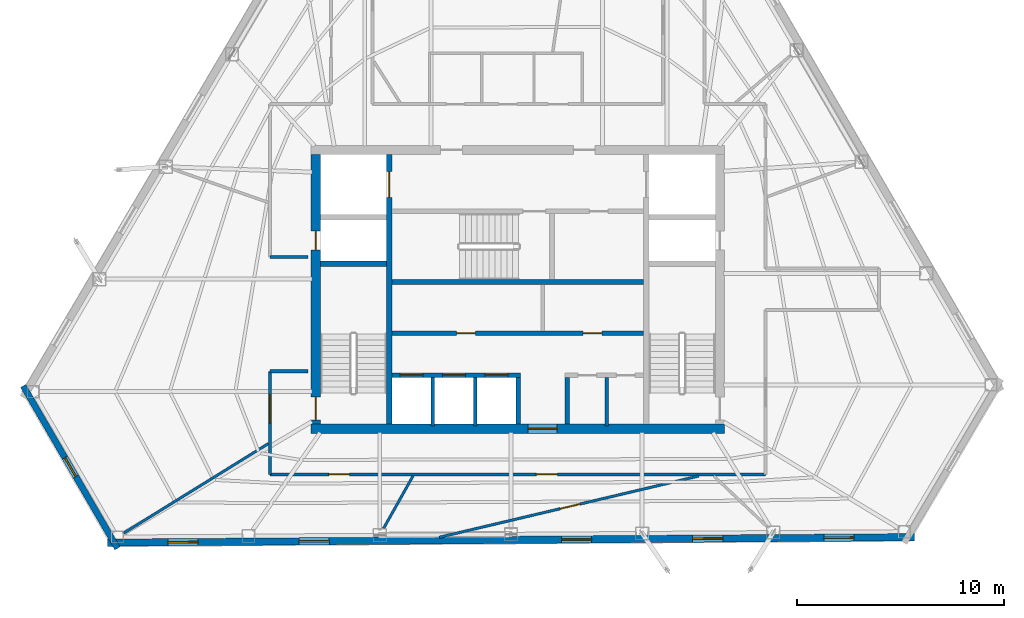
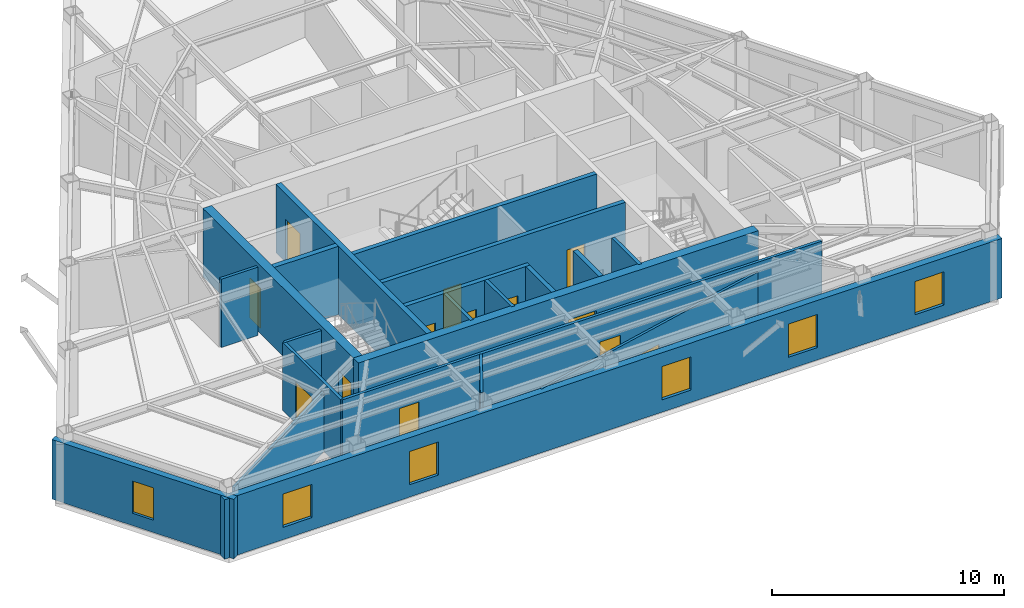
# One storey, part 7 of 10: 21 walls, 13 doors, 6 windows, 19 openings.
"""IFC4 building model written with IfcOpenShell, lengths in metres."""

from ifc_helpers import new_model, si_unit, direction, frame, frame_2d, origin, place, context, subcontext, project, spatial, rectangle, extrude, material, layer, layer_set, type_object, element, fill, save


model = new_model("IFC4")

# Units and contexts
model_context = context("Model", 3, precision=1e-05, world=origin(), true_north=direction((0.0, 1.0)))
body_context = subcontext(model_context, "Body", "Model", "MODEL_VIEW")
ifc_project = project(units=[si_unit("LENGTHUNIT", "METRE"), si_unit("AREAUNIT", "SQUARE_METRE"), si_unit("VOLUMEUNIT", "CUBIC_METRE"), si_unit("PLANEANGLEUNIT", "RADIAN"), si_unit("MASSUNIT", "GRAM", prefix="KILO")], contexts=[model_context])

# Site, building, storey
site_placement = place(None, origin())
site = spatial("IfcSite", under=ifc_project, at=site_placement, CompositionType="ELEMENT")
building_placement = place(site_placement, origin())
building = spatial("IfcBuilding", under=site, at=building_placement, Name="Kavelnor Concourse Tower", CompositionType="ELEMENT")
storey_placement = place(building_placement, frame((0.0, 0.0, 211.199951171875)))
storey = spatial("IfcBuildingStorey", under=building, at=storey_placement, Name="L53", CompositionType="ELEMENT", Elevation=211.199951171875)

# Wall, opening, door
ifc_material_1 = material(Name="Concrete C50/60", Category="concrete")
ifc_layer_1 = layer(ifc_material_1, 0.43994140625, Name="Concrete C50/60")
ifc_layer_set_1 = layer_set([ifc_layer_1], Name="Concrete C50/60")
wall_type_1 = type_object("IfcWallType", Name="WL-CORE-Z3-440", PredefinedType="SOLIDWALL", material=ifc_layer_set_1)
wall_1_placement = place(storey_placement, frame((28.0400390625, 9.3798828125, 0.0), z_axis=(0.0, 0.0, 1.0), x_axis=(1.0, 0.0, 0.0)))
wall_1 = element("IfcWall", 1, at=wall_1_placement, inside=storey, type_object=wall_type_1, Name="L53 Central Core South Shear Wall", PredefinedType="SOLIDWALL", context=body_context, shape_type="SweptSolid", body=[
    extrude(rectangle(XDim=19.919921875, YDim=0.43994140625, at=frame_2d((9.9599609375, 0.0))), origin(), (0.0, 0.0, 1.0), 3.60009765625),
])
opening_1_placement = place(wall_1_placement, frame((10.4599609375, 0.0, 0.0)))
opening_1 = element("IfcOpeningElement", 2, at=opening_1_placement, cuts=wall_1, Name="Opening SD-140", PredefinedType="OPENING", context=body_context, shape_type="SweptSolid", body=[
    extrude(rectangle(XDim=1.39990234375, YDim=2.199951171875, at=frame_2d((0.699951171875, 1.10009765625))), frame((0.0, 0.22998046875, 0.0), z_axis=(0.0, -1.0, 0.0), x_axis=(1.0, 0.0, 0.0)), (0.0, 0.0, 1.0), 0.4599609375),
])
ifc_material_2 = material(Name="Solid-core hardwood timber", Category="wood")
door_type_1 = type_object("IfcDoorType", Name="DR-SUITE-ENTRY-1400", OperationType="NOTDEFINED", PredefinedType="DOOR", material=ifc_material_2)
door_1_placement = place(opening_1_placement, origin())
door_1 = element("IfcDoor", 3, at=door_1_placement, inside=storey, type_object=door_type_1, Name="L53 Passenger Lift Lobby Entry Door", OperationType="SINGLE_SWING_RIGHT", OverallHeight=2.199951171875, OverallWidth=1.39990234375, PredefinedType="DOOR", context=body_context, shape_type="SweptSolid", body=[
    extrude(rectangle(XDim=1.39990234375, YDim=2.199951171875, at=frame_2d((0.699951171875, 1.10009765625))), frame((0.0, 0.02490234375, 0.0), z_axis=(0.0, -1.0, 0.0), x_axis=(1.0, 0.0, 0.0)), (0.0, 0.0, 1.0), 0.050048828125),
])
fill(opening_1, door_1)

# Wall, openings, doors
wall_2_placement = place(storey_placement, frame((28.260009765625, 9.60009765625, 0.0), z_axis=(0.0, 0.0, 1.0), x_axis=(0.0, 1.0, 0.0)))
wall_2 = element("IfcWall", 4, at=wall_2_placement, inside=storey, type_object=wall_type_1, Name="L53 Central Core West Shear Wall", PredefinedType="SOLIDWALL", context=body_context, shape_type="SweptSolid", body=[
    extrude(rectangle(XDim=13.0, YDim=0.43994140625, at=frame_2d((6.5, 0.0))), origin(), (0.0, 0.0, 1.0), 3.60009765625),
])
opening_2_placement = place(wall_2_placement, frame((0.199951171875, 0.0, 0.0)))
opening_2 = element("IfcOpeningElement", 5, at=opening_2_placement, cuts=wall_2, Name="Opening FD-110", PredefinedType="OPENING", context=body_context, shape_type="SweptSolid", body=[
    extrude(rectangle(XDim=1.10009765625, YDim=2.14990234375, at=frame_2d((0.550048828125, 1.074951171875))), frame((0.0, 0.22998046875, 0.0), z_axis=(0.0, -1.0, 0.0), x_axis=(1.0, 0.0, 0.0)), (0.0, 0.0, 1.0), 0.4599609375),
])
opening_3_placement = place(wall_2_placement, frame((8.39990234375, 0.0, 0.0)))
opening_3 = element("IfcOpeningElement", 6, at=opening_3_placement, cuts=wall_2, Name="Opening FD-090", PredefinedType="OPENING", context=body_context, shape_type="SweptSolid", body=[
    extrude(rectangle(XDim=0.89990234375, YDim=2.10009765625, at=frame_2d((0.449951171875, 1.050048828125))), frame((0.0, 0.22998046875, 0.0), z_axis=(0.0, -1.0, 0.0), x_axis=(1.0, 0.0, 0.0)), (0.0, 0.0, 1.0), 0.4599609375),
])
ifc_material_3 = material(Name="Steel Grade 350", Category="steel")
door_type_2 = type_object("IfcDoorType", Name="DR-RISER-FIRE-900", OperationType="NOTDEFINED", PredefinedType="DOOR", material=ifc_material_3)
door_2_placement = place(opening_3_placement, origin())
door_2 = element("IfcDoor", 7, at=door_2_placement, inside=storey, type_object=door_type_2, Name="L53 West Riser Access Door", OperationType="SINGLE_SWING_RIGHT", OverallHeight=2.10009765625, OverallWidth=0.89990234375, PredefinedType="DOOR", context=body_context, shape_type="SweptSolid", body=[
    extrude(rectangle(XDim=0.89990234375, YDim=2.10009765625, at=frame_2d((0.449951171875, 1.050048828125))), frame((0.0, 0.02490234375, 0.0), z_axis=(0.0, -1.0, 0.0), x_axis=(1.0, 0.0, 0.0)), (0.0, 0.0, 1.0), 0.050048828125),
])
fill(opening_3, door_2)
door_type_3 = type_object("IfcDoorType", Name="DR-STAIR-FIRE-1100", OperationType="NOTDEFINED", PredefinedType="DOOR", material=ifc_material_3)
door_3_placement = place(opening_2_placement, origin())
door_3 = element("IfcDoor", 8, at=door_3_placement, inside=storey, type_object=door_type_3, Name="L53 Stair ST1 Fire Door", OperationType="SINGLE_SWING_LEFT", OverallHeight=2.14990234375, OverallWidth=1.10009765625, PredefinedType="DOOR", context=body_context, shape_type="SweptSolid", body=[
    extrude(rectangle(XDim=1.10009765625, YDim=2.14990234375, at=frame_2d((0.550048828125, 1.074951171875))), frame((0.0, 0.02490234375, 0.0), z_axis=(0.0, -1.0, 0.0), x_axis=(1.0, 0.0, 0.0)), (0.0, 0.0, 1.0), 0.050048828125),
])
fill(opening_2, door_3)

# Wall, opening, window
ifc_material_4 = material(Name="Buff ironspot clay face brick masonry", Category="masonry")
ifc_layer_2 = layer(ifc_material_4, 0.300048828125, Name="Buff ironspot clay face brick masonry")
ifc_layer_set_2 = layer_set([ifc_layer_2], Name="Buff ironspot clay face brick masonry")
wall_type_2 = type_object("IfcWallType", Name="WL-EXT-BUFF-BRICK-FOLD-300", PredefinedType="STANDARD", material=ifc_layer_set_2)
wall_3_placement = place(storey_placement, frame((18.71044921875, 3.612060546875, 0.0), z_axis=(0.0, 0.0, 1.0), x_axis=(-0.502175829977, 0.864765538043, 0.0)))
wall_3 = element("IfcWall", 9, at=wall_3_placement, inside=storey, type_object=wall_type_2, Name="L53 Exterior Brick Facade Wall E2", PredefinedType="STANDARD", context=body_context, shape_type="SweptSolid", body=[
    extrude(rectangle(XDim=9.058349609375, YDim=0.300048828125, at=frame_2d((4.529296875, 0.0))), origin(), (0.0, 0.0, 1.0), 3.132080078125),
])
opening_4_placement = place(wall_3_placement, frame((4.004150390625, 0.0, 0.64990234375)))
opening_4 = element("IfcOpeningElement", 10, at=opening_4_placement, cuts=wall_3, Name="Opening W-06", PredefinedType="OPENING", context=body_context, shape_type="SweptSolid", body=[
    extrude(rectangle(XDim=1.050048828125, YDim=1.699951171875, at=frame_2d((0.52490234375, 0.85009765625))), frame((0.0, 0.16015625, 0.0), z_axis=(0.0, -1.0, 0.0), x_axis=(1.0, 0.0, 0.0)), (0.0, 0.0, 1.0), 0.320068359375),
])
ifc_material_5 = material(Name="Double low-E argon insulated glazing", Category="glass")
window_type_1 = type_object("IfcWindowType", Name="WIN-FOLD-1050", PartitioningType="SINGLE_PANEL", PredefinedType="WINDOW", material=ifc_material_5)
window_1_placement = place(opening_4_placement, origin())
window_1 = element("IfcWindow", 11, at=window_1_placement, inside=storey, type_object=window_type_1, Name="L53 Chamfer-Fold Facet Window C1", OverallHeight=1.699951171875, OverallWidth=1.050048828125, PartitioningType="SINGLE_PANEL", PredefinedType="WINDOW", context=body_context, shape_type="SweptSolid", body=[
    extrude(rectangle(XDim=1.050048828125, YDim=1.699951171875, at=frame_2d((0.52490234375, 0.85009765625))), frame((0.0, 0.030029296875, 0.0), z_axis=(0.0, -1.0, 0.0), x_axis=(1.0, 0.0, 0.0)), (0.0, 0.0, 1.0), 0.06005859375),
])
fill(opening_4, window_1)

# Wall, openings, windows
ifc_material_6 = material(Name="Red-ochre clay face brick masonry", Category="masonry")
ifc_layer_3 = layer(ifc_material_6, 0.35009765625, Name="Red-ochre clay face brick masonry")
ifc_layer_set_3 = layer_set([ifc_layer_3], Name="Red-ochre clay face brick masonry")
wall_type_3 = type_object("IfcWallType", Name="WL-EXT-RED-BRICK-PIER-350", PredefinedType="STANDARD", material=ifc_layer_set_3)
wall_4_placement = place(storey_placement, frame((57.109375, 4.152587890625, 0.0), z_axis=(0.0, 0.0, 1.0), x_axis=(-0.999976880016, -0.006799958314, 0.0)))
wall_4 = element("IfcWall", 12, at=wall_4_placement, inside=storey, type_object=wall_type_3, Name="L53 Exterior Brick Facade Wall E3", PredefinedType="STANDARD", context=body_context, shape_type="SweptSolid", body=[
    extrude(rectangle(XDim=38.88330078125, YDim=0.35009765625, at=frame_2d((19.441650390625, 0.0))), origin(), (0.0, 0.0, 1.0), 3.132080078125),
])
opening_5_placement = place(wall_4_placement, frame((34.518798828125, 0.0, 0.64990234375)))
opening_5 = element("IfcOpeningElement", 13, at=opening_5_placement, cuts=wall_4, Name="Opening W-03", PredefinedType="OPENING", context=body_context, shape_type="SweptSolid", body=[
    extrude(rectangle(XDim=1.449951171875, YDim=1.75, at=frame_2d((0.72509765625, 0.875))), frame((0.0, 0.18505859375, 0.0), z_axis=(0.0, -1.0, 0.0), x_axis=(1.0, 0.0, 0.0)), (0.0, 0.0, 1.0), 0.3701171875),
])
opening_6_placement = place(wall_4_placement, frame((28.196533203125, 0.0, 0.64990234375)))
opening_6 = element("IfcOpeningElement", 14, at=opening_6_placement, cuts=wall_4, Name="Opening W-03", PredefinedType="OPENING", context=body_context, shape_type="SweptSolid", body=[
    extrude(rectangle(XDim=1.449951171875, YDim=1.75, at=frame_2d((0.72509765625, 0.875))), frame((0.0, 0.18505859375, 0.0), z_axis=(0.0, -1.0, 0.0), x_axis=(1.0, 0.0, 0.0)), (0.0, 0.0, 1.0), 0.3701171875),
])
opening_7_placement = place(wall_4_placement, frame((15.55224609375, 0.0, 0.64990234375)))
opening_7 = element("IfcOpeningElement", 15, at=opening_7_placement, cuts=wall_4, Name="Opening W-03", PredefinedType="OPENING", context=body_context, shape_type="SweptSolid", body=[
    extrude(rectangle(XDim=1.449951171875, YDim=1.75, at=frame_2d((0.72509765625, 0.875))), frame((0.0, 0.18505859375, 0.0), z_axis=(0.0, -1.0, 0.0), x_axis=(1.0, 0.0, 0.0)), (0.0, 0.0, 1.0), 0.3701171875),
])
opening_8_placement = place(wall_4_placement, frame((9.230224609375, 0.0, 0.64990234375)))
opening_8 = element("IfcOpeningElement", 16, at=opening_8_placement, cuts=wall_4, Name="Opening W-03", PredefinedType="OPENING", context=body_context, shape_type="SweptSolid", body=[
    extrude(rectangle(XDim=1.449951171875, YDim=1.75, at=frame_2d((0.72509765625, 0.875))), frame((0.0, 0.18505859375, 0.0), z_axis=(0.0, -1.0, 0.0), x_axis=(1.0, 0.0, 0.0)), (0.0, 0.0, 1.0), 0.3701171875),
])
opening_9_placement = place(wall_4_placement, frame((2.907958984375, 0.0, 0.64990234375)))
opening_9 = element("IfcOpeningElement", 17, at=opening_9_placement, cuts=wall_4, Name="Opening W-03", PredefinedType="OPENING", context=body_context, shape_type="SweptSolid", body=[
    extrude(rectangle(XDim=1.449951171875, YDim=1.75, at=frame_2d((0.72509765625, 0.875))), frame((0.0, 0.18505859375, 0.0), z_axis=(0.0, -1.0, 0.0), x_axis=(1.0, 0.0, 0.0)), (0.0, 0.0, 1.0), 0.3701171875),
])
window_type_2 = type_object("IfcWindowType", Name="WIN-PIER-Z3-1500", PartitioningType="SINGLE_PANEL", PredefinedType="WINDOW", material=ifc_material_5)
window_2_placement = place(opening_5_placement, origin())
window_2 = element("IfcWindow", 18, at=window_2_placement, inside=storey, type_object=window_type_2, Name="L53 Deep-Set Brick Pier Window F1-B0", OverallHeight=1.75, OverallWidth=1.449951171875, PartitioningType="SINGLE_PANEL", PredefinedType="WINDOW", context=body_context, shape_type="SweptSolid", body=[
    extrude(rectangle(XDim=1.449951171875, YDim=1.75, at=frame_2d((0.72509765625, 0.875))), frame((0.0, 0.030029296875, 0.0), z_axis=(0.0, -1.0, 0.0), x_axis=(1.0, 0.0, 0.0)), (0.0, 0.0, 1.0), 0.06005859375),
])
fill(opening_5, window_2)
window_3_placement = place(opening_6_placement, origin())
window_3 = element("IfcWindow", 19, at=window_3_placement, inside=storey, type_object=window_type_2, Name="L53 Deep-Set Brick Pier Window F1-B1", OverallHeight=1.75, OverallWidth=1.449951171875, PartitioningType="SINGLE_PANEL", PredefinedType="WINDOW", context=body_context, shape_type="SweptSolid", body=[
    extrude(rectangle(XDim=1.449951171875, YDim=1.75, at=frame_2d((0.72509765625, 0.875))), frame((0.0, 0.030029296875, 0.0), z_axis=(0.0, -1.0, 0.0), x_axis=(1.0, 0.0, 0.0)), (0.0, 0.0, 1.0), 0.06005859375),
])
fill(opening_6, window_3)
window_4_placement = place(opening_7_placement, origin())
window_4 = element("IfcWindow", 20, at=window_4_placement, inside=storey, type_object=window_type_2, Name="L53 Deep-Set Brick Pier Window F1-B3", OverallHeight=1.75, OverallWidth=1.449951171875, PartitioningType="SINGLE_PANEL", PredefinedType="WINDOW", context=body_context, shape_type="SweptSolid", body=[
    extrude(rectangle(XDim=1.449951171875, YDim=1.75, at=frame_2d((0.72509765625, 0.875))), frame((0.0, 0.030029296875, 0.0), z_axis=(0.0, -1.0, 0.0), x_axis=(1.0, 0.0, 0.0)), (0.0, 0.0, 1.0), 0.06005859375),
])
fill(opening_7, window_4)
window_5_placement = place(opening_8_placement, origin())
window_5 = element("IfcWindow", 21, at=window_5_placement, inside=storey, type_object=window_type_2, Name="L53 Deep-Set Brick Pier Window F1-B4", OverallHeight=1.75, OverallWidth=1.449951171875, PartitioningType="SINGLE_PANEL", PredefinedType="WINDOW", context=body_context, shape_type="SweptSolid", body=[
    extrude(rectangle(XDim=1.449951171875, YDim=1.75, at=frame_2d((0.72509765625, 0.875))), frame((0.0, 0.030029296875, 0.0), z_axis=(0.0, -1.0, 0.0), x_axis=(1.0, 0.0, 0.0)), (0.0, 0.0, 1.0), 0.06005859375),
])
fill(opening_8, window_5)
window_6_placement = place(opening_9_placement, origin())
window_6 = element("IfcWindow", 22, at=window_6_placement, inside=storey, type_object=window_type_2, Name="L53 Deep-Set Brick Pier Window F1-B5", OverallHeight=1.75, OverallWidth=1.449951171875, PartitioningType="SINGLE_PANEL", PredefinedType="WINDOW", context=body_context, shape_type="SweptSolid", body=[
    extrude(rectangle(XDim=1.449951171875, YDim=1.75, at=frame_2d((0.72509765625, 0.875))), frame((0.0, 0.030029296875, 0.0), z_axis=(0.0, -1.0, 0.0), x_axis=(1.0, 0.0, 0.0)), (0.0, 0.0, 1.0), 0.06005859375),
])
fill(opening_9, window_6)

# Wall
ifc_material_7 = material(Name="Gypsum plasterboard on light-gauge steel studs", Category="steel")
ifc_layer_4 = layer(ifc_material_7, 0.14501953125, Name="Gypsum plasterboard on light-gauge steel studs")
ifc_layer_set_4 = layer_set([ifc_layer_4], Name="Gypsum plasterboard on light-gauge steel studs")
wall_type_4 = type_object("IfcWallType", Name="WL-INT-CORR-145", PredefinedType="PARTITIONING", material=ifc_layer_set_4)
wall_5_placement = place(storey_placement, frame((27.8798828125, 17.64990234375, 0.0), z_axis=(0.0, 0.0, 1.0), x_axis=(-1.0, 0.0, 0.0)))
element("IfcWall", 23, at=wall_5_placement, inside=storey, type_object=wall_type_4, Name="L53 Corridor Wall WL-L53-CR-01", PredefinedType="PARTITIONING", context=body_context, shape_type="SweptSolid", body=[
    extrude(rectangle(XDim=1.81982421875, YDim=0.14501953125, at=frame_2d((0.909912109375, 0.0))), origin(), (0.0, 0.0, 1.0), 3.60009765625),
])

# Wall, openings, doors
wall_6_placement = place(storey_placement, frame((49.93994140625, 7.179931640625, 0.0), z_axis=(0.0, 0.0, 1.0), x_axis=(-1.0, 0.0, 0.0)))
wall_6 = element("IfcWall", 24, at=wall_6_placement, inside=storey, type_object=wall_type_4, Name="L53 Corridor Wall WL-L53-CR-17", PredefinedType="PARTITIONING", context=body_context, shape_type="SweptSolid", body=[
    extrude(rectangle(XDim=23.8798828125, YDim=0.14501953125, at=frame_2d((11.93994140625, 0.0))), origin(), (0.0, 0.0, 1.0), 3.60009765625),
])
opening_10_placement = place(wall_6_placement, frame((20.062255859375, 0.0, 0.0)))
opening_10 = element("IfcOpeningElement", 25, at=opening_10_placement, cuts=wall_6, Name="Opening OD-098", PredefinedType="OPENING", context=body_context, shape_type="SweptSolid", body=[
    extrude(rectangle(XDim=0.97998046875, YDim=2.14990234375, at=frame_2d((0.489990234375, 1.074951171875))), frame((0.0, 0.08251953125, 0.0), z_axis=(0.0, -1.0, 0.0), x_axis=(1.0, 0.0, 0.0)), (0.0, 0.0, 1.0), 0.1650390625),
])
opening_11_placement = place(wall_6_placement, frame((10.027099609375, 0.0, 0.0)))
opening_11 = element("IfcOpeningElement", 26, at=opening_11_placement, cuts=wall_6, Name="Opening MD-102", PredefinedType="OPENING", context=body_context, shape_type="SweptSolid", body=[
    extrude(rectangle(XDim=1.02001953125, YDim=2.14990234375, at=frame_2d((0.510009765625, 1.074951171875))), frame((0.0, 0.08251953125, 0.0), z_axis=(0.0, -1.0, 0.0), x_axis=(1.0, 0.0, 0.0)), (0.0, 0.0, 1.0), 0.1650390625),
])
ifc_material_8 = material(Name="Acoustic glazed timber frame", Category="wood")
door_type_4 = type_object("IfcDoorType", Name="DR-MEETING-1020", OperationType="NOTDEFINED", PredefinedType="DOOR", material=ifc_material_8)
door_4_placement = place(opening_11_placement, origin())
door_4 = element("IfcDoor", 27, at=door_4_placement, inside=storey, type_object=door_type_4, Name="L53 Client Boardroom 08 Door", OperationType="SINGLE_SWING_RIGHT", OverallHeight=2.14990234375, OverallWidth=1.02001953125, PredefinedType="DOOR", context=body_context, shape_type="SweptSolid", body=[
    extrude(rectangle(XDim=1.02001953125, YDim=2.14990234375, at=frame_2d((0.510009765625, 1.074951171875))), frame((0.0, 0.02490234375, 0.0), z_axis=(0.0, -1.0, 0.0), x_axis=(1.0, 0.0, 0.0)), (0.0, 0.0, 1.0), 0.050048828125),
])
fill(opening_11, door_4)
door_type_5 = type_object("IfcDoorType", Name="DR-OFFICE-980", OperationType="NOTDEFINED", PredefinedType="DOOR", material=ifc_material_2)
door_5_placement = place(opening_10_placement, origin())
door_5 = element("IfcDoor", 28, at=door_5_placement, inside=storey, type_object=door_type_5, Name="L53 Technical Reference Library 07 Door", OperationType="SINGLE_SWING_LEFT", OverallHeight=2.14990234375, OverallWidth=0.97998046875, PredefinedType="DOOR", context=body_context, shape_type="SweptSolid", body=[
    extrude(rectangle(XDim=0.97998046875, YDim=2.14990234375, at=frame_2d((0.489990234375, 1.074951171875))), frame((0.0, 0.02490234375, 0.0), z_axis=(0.0, -1.0, 0.0), x_axis=(1.0, 0.0, 0.0)), (0.0, 0.0, 1.0), 0.050048828125),
])
fill(opening_10, door_5)

# Wall, opening, door
wall_7_placement = place(storey_placement, frame((26.06005859375, 7.179931640625, 0.0), z_axis=(0.0, 0.0, 1.0), x_axis=(0.0, 1.0, 0.0)))
wall_7 = element("IfcWall", 29, at=wall_7_placement, inside=storey, type_object=wall_type_4, Name="L53 Corridor Wall WL-L53-CR-18", PredefinedType="PARTITIONING", context=body_context, shape_type="SweptSolid", body=[
    extrude(rectangle(XDim=4.969970703125, YDim=0.14501953125, at=frame_2d((2.48486328125, 0.0))), origin(), (0.0, 0.0, 1.0), 3.60009765625),
])
opening_12_placement = place(wall_7_placement, frame((2.46142578125, 0.0, 0.0)))
opening_12 = element("IfcOpeningElement", 30, at=opening_12_placement, cuts=wall_7, Name="Opening SD-140", PredefinedType="OPENING", context=body_context, shape_type="SweptSolid", body=[
    extrude(rectangle(XDim=1.39990234375, YDim=2.199951171875, at=frame_2d((0.699951171875, 1.10009765625))), frame((0.0, 0.08251953125, 0.0), z_axis=(0.0, -1.0, 0.0), x_axis=(1.0, 0.0, 0.0)), (0.0, 0.0, 1.0), 0.1650390625),
])
door_6_placement = place(opening_12_placement, origin())
door_6 = element("IfcDoor", 31, at=door_6_placement, inside=storey, type_object=door_type_1, Name="L53 Building Staff Breakroom 06 Door", OperationType="SINGLE_SWING_RIGHT", OverallHeight=2.199951171875, OverallWidth=1.39990234375, PredefinedType="DOOR", context=body_context, shape_type="SweptSolid", body=[
    extrude(rectangle(XDim=1.39990234375, YDim=2.199951171875, at=frame_2d((0.699951171875, 1.10009765625))), frame((0.0, 0.02490234375, 0.0), z_axis=(0.0, -1.0, 0.0), x_axis=(1.0, 0.0, 0.0)), (0.0, 0.0, 1.0), 0.050048828125),
])
fill(opening_12, door_6)

# Walls
wall_8_placement = place(storey_placement, frame((26.06005859375, 12.14990234375, 0.0), z_axis=(0.0, 0.0, 1.0), x_axis=(1.0, 0.0, 0.0)))
element("IfcWall", 32, at=wall_8_placement, inside=storey, type_object=wall_type_4, Name="L53 Corridor Wall WL-L53-CR-19", PredefinedType="PARTITIONING", context=body_context, shape_type="SweptSolid", body=[
    extrude(rectangle(XDim=1.81982421875, YDim=0.14501953125, at=frame_2d((0.909912109375, 0.0))), origin(), (0.0, 0.0, 1.0), 3.60009765625),
])
ifc_layer_5 = layer(ifc_material_7, 0.1650390625, Name="Gypsum plasterboard on light-gauge steel studs")
ifc_layer_set_5 = layer_set([ifc_layer_5], Name="Gypsum plasterboard on light-gauge steel studs")
wall_type_5 = type_object("IfcWallType", Name="WL-INT-FIRE-165", PredefinedType="PARTITIONING", material=ifc_layer_set_5)
for number, where, z_axis, x_axis, name in (
    (33, (33.89990234375, 9.52001953125, 0.0), (0.0, 0.0, 1.0), (0.0, 1.0, 0.0), "L53 Lift Shaft Divider LP7"),
    (34, (35.949951171875, 9.52001953125, 0.0), (0.0, 0.0, 1.0), (0.0, 1.0, 0.0), "L53 Lift Shaft Divider LP8"),
    (35, (42.280029296875, 9.52001953125, 0.0), (0.0, 0.0, 1.0), (0.0, 1.0, 0.0), "L53 Core Support Divider"),
):
    element("IfcWall", number, at=place(storey_placement, frame(where, z_axis=z_axis, x_axis=x_axis)), inside=storey, type_object=wall_type_5, Name=name, PredefinedType="PARTITIONING", context=body_context, shape_type="SweptSolid", body=[
        extrude(rectangle(XDim=2.320068359375, YDim=0.1650390625, at=frame_2d((1.16015625, 0.0))), origin(), (0.0, 0.0, 1.0), 3.60009765625),
    ])
ifc_layer_6 = layer(ifc_material_7, 0.125, Name="Gypsum plasterboard on light-gauge steel studs")
ifc_layer_set_6 = layer_set([ifc_layer_6], Name="Gypsum plasterboard on light-gauge steel studs")
wall_type_6 = type_object("IfcWallType", Name="WL-INT-SUITE-125", PredefinedType="PARTITIONING", material=ifc_layer_set_6)
wall_9_placement = place(storey_placement, frame((25.9794921875, 8.6630859375, 0.0), z_axis=(0.0, 0.0, 1.0), x_axis=(-0.850393393123, -0.526147390882, 0.0)))
element("IfcWall", 36, at=wall_9_placement, inside=storey, type_object=wall_type_6, Name="L53 Radial Suite Partition 06", PredefinedType="PARTITIONING", context=body_context, shape_type="SweptSolid", body=[
    extrude(rectangle(XDim=8.193603515625, YDim=0.125, at=frame_2d((4.0966796875, 0.0))), origin(), (0.0, 0.0, 1.0), 3.14111328125),
])
wall_10_placement = place(storey_placement, frame((32.948486328125, 7.099609375, 0.0), z_axis=(0.0, 0.0, 1.0), x_axis=(-0.489448120608, -0.872032417536, 0.0)))
element("IfcWall", 37, at=wall_10_placement, inside=storey, type_object=wall_type_6, Name="L53 Radial Suite Partition 07", PredefinedType="PARTITIONING", context=body_context, shape_type="SweptSolid", body=[
    extrude(rectangle(XDim=2.89453125, YDim=0.125, at=frame_2d((1.447265625, 0.0))), origin(), (0.0, 0.0, 1.0), 3.60009765625),
])

# Wall, opening, door
wall_11_placement = place(storey_placement, frame((34.212890625, 4.14697265625, 0.0), z_axis=(0.0, 0.0, 1.0), x_axis=(0.973225904265, 0.229850689075, 0.0)))
wall_11 = element("IfcWall", 38, at=wall_11_placement, inside=storey, type_object=wall_type_6, Name="L53 Suite Subdivision Partition 07", PredefinedType="PARTITIONING", context=body_context, shape_type="SweptSolid", body=[
    extrude(rectangle(XDim=12.845947265625, YDim=0.125, at=frame_2d((6.4228515625, 0.0))), origin(), (0.0, 0.0, 1.0), 3.135009765625),
])
opening_13_placement = place(wall_11_placement, frame((5.984375, 0.0, 0.0)))
opening_13 = element("IfcOpeningElement", 39, at=opening_13_placement, cuts=wall_11, Name="Opening OD-098", PredefinedType="OPENING", context=body_context, shape_type="SweptSolid", body=[
    extrude(rectangle(XDim=0.97998046875, YDim=2.14990234375, at=frame_2d((0.489990234375, 1.074951171875))), frame((0.0, 0.072509765625, 0.0), z_axis=(0.0, -1.0, 0.0), x_axis=(1.0, 0.0, 0.0)), (0.0, 0.0, 1.0), 0.14501953125),
])
door_7_placement = place(opening_13_placement, origin())
door_7 = element("IfcDoor", 40, at=door_7_placement, inside=storey, type_object=door_type_5, Name="L53 Workplace Open Office 09 Door", OperationType="SINGLE_SWING_LEFT", OverallHeight=2.14990234375, OverallWidth=0.97998046875, PredefinedType="DOOR", context=body_context, shape_type="SweptSolid", body=[
    extrude(rectangle(XDim=0.97998046875, YDim=2.14990234375, at=frame_2d((0.489990234375, 1.074951171875))), frame((0.0, 0.02490234375, 0.0), z_axis=(0.0, -1.0, 0.0), x_axis=(1.0, 0.0, 0.0)), (0.0, 0.0, 1.0), 0.050048828125),
])
fill(opening_13, door_7)

# Wall
ifc_layer_7 = layer(ifc_material_1, 0.219970703125, Name="Concrete C50/60")
ifc_layer_set_7 = layer_set([ifc_layer_7], Name="Concrete C50/60")
wall_type_7 = type_object("IfcWallType", Name="WL-SHAFT-220", PredefinedType="SOLIDWALL", material=ifc_layer_set_7)
wall_12_placement = place(storey_placement, frame((31.93994140625, 16.449951171875, 0.0), z_axis=(0.0, 0.0, 1.0), x_axis=(1.0, 0.0, 0.0)))
element("IfcWall", 41, at=wall_12_placement, inside=storey, type_object=wall_type_7, Name="L53 Stair ST3 South Core Wall", PredefinedType="SOLIDWALL", context=body_context, shape_type="SweptSolid", body=[
    extrude(rectangle(XDim=12.1201171875, YDim=0.219970703125, at=frame_2d((6.06005859375, 0.0))), origin(), (0.0, 0.0, 1.0), 3.60009765625),
])

# Wall, openings, doors
wall_13_placement = place(storey_placement, frame((31.93994140625, 13.989990234375, 0.0), z_axis=(0.0, 0.0, 1.0), x_axis=(1.0, 0.0, 0.0)))
wall_13 = element("IfcWall", 42, at=wall_13_placement, inside=storey, type_object=wall_type_7, Name="L53 North Lift Row Shaft Wall", PredefinedType="SOLIDWALL", context=body_context, shape_type="SweptSolid", body=[
    extrude(rectangle(XDim=12.1201171875, YDim=0.219970703125, at=frame_2d((6.06005859375, 0.0))), origin(), (0.0, 0.0, 1.0), 3.60009765625),
])
opening_14_placement = place(wall_13_placement, frame((3.110107421875, 0.0, 0.0)))
opening_14 = element("IfcOpeningElement", 43, at=opening_14_placement, cuts=wall_13, Name="Opening FD-090", PredefinedType="OPENING", context=body_context, shape_type="SweptSolid", body=[
    extrude(rectangle(XDim=0.89990234375, YDim=2.10009765625, at=frame_2d((0.449951171875, 1.050048828125))), frame((0.0, 0.1201171875, 0.0), z_axis=(0.0, -1.0, 0.0), x_axis=(1.0, 0.0, 0.0)), (0.0, 0.0, 1.0), 0.239990234375),
])
opening_15_placement = place(wall_13_placement, frame((9.2099609375, 0.0, 0.0)))
opening_15 = element("IfcOpeningElement", 44, at=opening_15_placement, cuts=wall_13, Name="Opening FD-090", PredefinedType="OPENING", context=body_context, shape_type="SweptSolid", body=[
    extrude(rectangle(XDim=0.89990234375, YDim=2.10009765625, at=frame_2d((0.449951171875, 1.050048828125))), frame((0.0, 0.1201171875, 0.0), z_axis=(0.0, -1.0, 0.0), x_axis=(1.0, 0.0, 0.0)), (0.0, 0.0, 1.0), 0.239990234375),
])
door_8_placement = place(opening_14_placement, origin())
door_8 = element("IfcDoor", 45, at=door_8_placement, inside=storey, type_object=door_type_2, Name="L53 Lounge Pantry Door", OperationType="SINGLE_SWING_LEFT", OverallHeight=2.10009765625, OverallWidth=0.89990234375, PredefinedType="DOOR", context=body_context, shape_type="SweptSolid", body=[
    extrude(rectangle(XDim=0.89990234375, YDim=2.10009765625, at=frame_2d((0.449951171875, 1.050048828125))), frame((0.0, 0.02490234375, 0.0), z_axis=(0.0, -1.0, 0.0), x_axis=(1.0, 0.0, 0.0)), (0.0, 0.0, 1.0), 0.050048828125),
])
fill(opening_14, door_8)
door_9_placement = place(opening_15_placement, origin())
door_9 = element("IfcDoor", 46, at=door_9_placement, inside=storey, type_object=door_type_2, Name="L53 Facilities Store Door", OperationType="SINGLE_SWING_RIGHT", OverallHeight=2.10009765625, OverallWidth=0.89990234375, PredefinedType="DOOR", context=body_context, shape_type="SweptSolid", body=[
    extrude(rectangle(XDim=0.89990234375, YDim=2.10009765625, at=frame_2d((0.449951171875, 1.050048828125))), frame((0.0, 0.02490234375, 0.0), z_axis=(0.0, -1.0, 0.0), x_axis=(1.0, 0.0, 0.0)), (0.0, 0.0, 1.0), 0.050048828125),
])
fill(opening_15, door_9)

wall_14_placement = place(storey_placement, frame((31.93994140625, 11.949951171875, 0.0), z_axis=(0.0, 0.0, 1.0), x_axis=(1.0, 0.0, 0.0)))
wall_14 = element("IfcWall", 47, at=wall_14_placement, inside=storey, type_object=wall_type_7, Name="L53 High-Rise Lift Bank North Wall", PredefinedType="SOLIDWALL", context=body_context, shape_type="SweptSolid", body=[
    extrude(rectangle(XDim=6.18994140625, YDim=0.219970703125, at=frame_2d((3.094970703125, 0.0))), origin(), (0.0, 0.0, 1.0), 3.60009765625),
])
opening_16_placement = place(wall_14_placement, frame((0.385009765625, 0.0, 0.0)))
opening_16 = element("IfcOpeningElement", 48, at=opening_16_placement, cuts=wall_14, Name="Opening LD-110", PredefinedType="OPENING", context=body_context, shape_type="SweptSolid", body=[
    extrude(rectangle(XDim=1.10009765625, YDim=2.199951171875, at=frame_2d((0.550048828125, 1.10009765625))), frame((0.0, 0.1201171875, 0.0), z_axis=(0.0, -1.0, 0.0), x_axis=(1.0, 0.0, 0.0)), (0.0, 0.0, 1.0), 0.239990234375),
])
opening_17_placement = place(wall_14_placement, frame((2.43505859375, 0.0, 0.0)))
opening_17 = element("IfcOpeningElement", 49, at=opening_17_placement, cuts=wall_14, Name="Opening LD-110", PredefinedType="OPENING", context=body_context, shape_type="SweptSolid", body=[
    extrude(rectangle(XDim=1.10009765625, YDim=2.199951171875, at=frame_2d((0.550048828125, 1.10009765625))), frame((0.0, 0.1201171875, 0.0), z_axis=(0.0, -1.0, 0.0), x_axis=(1.0, 0.0, 0.0)), (0.0, 0.0, 1.0), 0.239990234375),
])
opening_18_placement = place(wall_14_placement, frame((4.485107421875, 0.0, 0.0)))
opening_18 = element("IfcOpeningElement", 50, at=opening_18_placement, cuts=wall_14, Name="Opening LD-110", PredefinedType="OPENING", context=body_context, shape_type="SweptSolid", body=[
    extrude(rectangle(XDim=1.10009765625, YDim=2.199951171875, at=frame_2d((0.550048828125, 1.10009765625))), frame((0.0, 0.1201171875, 0.0), z_axis=(0.0, -1.0, 0.0), x_axis=(1.0, 0.0, 0.0)), (0.0, 0.0, 1.0), 0.239990234375),
])
door_type_6 = type_object("IfcDoorType", Name="DR-LIFT-SLIDING-1100", OperationType="NOTDEFINED", PredefinedType="DOOR", material=ifc_material_3)
door_10_placement = place(opening_16_placement, origin())
door_10 = element("IfcDoor", 51, at=door_10_placement, inside=storey, type_object=door_type_6, Name="L53 Lift LP7 Landing Door", OperationType="DOUBLE_DOOR_SLIDING", OverallHeight=2.199951171875, OverallWidth=1.10009765625, PredefinedType="DOOR", context=body_context, shape_type="SweptSolid", body=[
    extrude(rectangle(XDim=1.10009765625, YDim=2.199951171875, at=frame_2d((0.550048828125, 1.10009765625))), frame((0.0, 0.02490234375, 0.0), z_axis=(0.0, -1.0, 0.0), x_axis=(1.0, 0.0, 0.0)), (0.0, 0.0, 1.0), 0.050048828125),
])
fill(opening_16, door_10)
door_11_placement = place(opening_17_placement, origin())
door_11 = element("IfcDoor", 52, at=door_11_placement, inside=storey, type_object=door_type_6, Name="L53 Lift LP8 Landing Door", OperationType="DOUBLE_DOOR_SLIDING", OverallHeight=2.199951171875, OverallWidth=1.10009765625, PredefinedType="DOOR", context=body_context, shape_type="SweptSolid", body=[
    extrude(rectangle(XDim=1.10009765625, YDim=2.199951171875, at=frame_2d((0.550048828125, 1.10009765625))), frame((0.0, 0.02490234375, 0.0), z_axis=(0.0, -1.0, 0.0), x_axis=(1.0, 0.0, 0.0)), (0.0, 0.0, 1.0), 0.050048828125),
])
fill(opening_17, door_11)
door_12_placement = place(opening_18_placement, origin())
door_12 = element("IfcDoor", 53, at=door_12_placement, inside=storey, type_object=door_type_6, Name="L53 Lift LP9 Landing Door", OperationType="DOUBLE_DOOR_SLIDING", OverallHeight=2.199951171875, OverallWidth=1.10009765625, PredefinedType="DOOR", context=body_context, shape_type="SweptSolid", body=[
    extrude(rectangle(XDim=1.10009765625, YDim=2.199951171875, at=frame_2d((0.550048828125, 1.10009765625))), frame((0.0, 0.02490234375, 0.0), z_axis=(0.0, -1.0, 0.0), x_axis=(1.0, 0.0, 0.0)), (0.0, 0.0, 1.0), 0.050048828125),
])
fill(opening_18, door_12)

# Walls
for number, where, z_axis, x_axis, name in (
    (54, (38.02001953125, 9.60009765625, 0.0), (0.0, 0.0, 1.0), (0.0, 1.0, 0.0), "L53 Lift Lobby Throat West Wall"),
    (55, (40.389892578125, 9.60009765625, 0.0), (0.0, 0.0, 1.0), (0.0, 1.0, 0.0), "L53 Lift Lobby Throat East Wall"),
):
    element("IfcWall", number, at=place(storey_placement, frame(where, z_axis=z_axis, x_axis=x_axis)), inside=storey, type_object=wall_type_7, Name=name, PredefinedType="SOLIDWALL", context=body_context, shape_type="SweptSolid", body=[
        extrude(rectangle(XDim=2.239990234375, YDim=0.219970703125, at=frame_2d((1.1201171875, 0.0))), origin(), (0.0, 0.0, 1.0), 3.60009765625),
    ])

# Wall, opening, door
ifc_layer_8 = layer(ifc_material_1, 0.260009765625, Name="Concrete C50/60")
ifc_layer_set_8 = layer_set([ifc_layer_8], Name="Concrete C50/60")
wall_type_8 = type_object("IfcWallType", Name="WL-SHAFT-260", PredefinedType="SHEAR", material=ifc_layer_set_8)
wall_15_placement = place(storey_placement, frame((31.81005859375, 9.60009765625, 0.0), z_axis=(0.0, 0.0, 1.0), x_axis=(0.0, 1.0, 0.0)))
wall_15 = element("IfcWall", 56, at=wall_15_placement, inside=storey, type_object=wall_type_8, Name="L53 Core West Wing Shear Wall", PredefinedType="SHEAR", context=body_context, shape_type="SweptSolid", body=[
    extrude(rectangle(XDim=13.0, YDim=0.260009765625, at=frame_2d((6.5, 0.0))), origin(), (0.0, 0.0, 1.0), 3.60009765625),
])
opening_19_placement = place(wall_15_placement, frame((10.925048828125, 0.0, 0.0)))
opening_19 = element("IfcOpeningElement", 57, at=opening_19_placement, cuts=wall_15, Name="Opening LD-125", PredefinedType="OPENING", context=body_context, shape_type="SweptSolid", body=[
    extrude(rectangle(XDim=1.25, YDim=2.25, at=frame_2d((0.625, 1.125))), frame((0.0, 0.14013671875, 0.0), z_axis=(0.0, -1.0, 0.0), x_axis=(1.0, 0.0, 0.0)), (0.0, 0.0, 1.0), 0.280029296875),
])
door_type_7 = type_object("IfcDoorType", Name="DR-LIFT-SLIDING-1250", OperationType="NOTDEFINED", PredefinedType="DOOR", material=ifc_material_3)
door_13_placement = place(opening_19_placement, origin())
door_13 = element("IfcDoor", 58, at=door_13_placement, inside=storey, type_object=door_type_7, Name="L53 Emergency Lift FL1 Landing Door", OperationType="DOUBLE_DOOR_SLIDING", OverallHeight=2.25, OverallWidth=1.25, PredefinedType="DOOR", context=body_context, shape_type="SweptSolid", body=[
    extrude(rectangle(XDim=1.25, YDim=2.25, at=frame_2d((0.625, 1.125))), frame((0.0, 0.02490234375, 0.0), z_axis=(0.0, -1.0, 0.0), x_axis=(1.0, 0.0, 0.0)), (0.0, 0.0, 1.0), 0.050048828125),
])
fill(opening_19, door_13)

# Wall
wall_16_placement = place(storey_placement, frame((28.47998046875, 17.330078125, 0.0), z_axis=(0.0, 0.0, 1.0), x_axis=(1.0, 0.0, 0.0)))
element("IfcWall", 59, at=wall_16_placement, inside=storey, type_object=wall_type_8, Name="L53 Stair ST1 North Shaft Wall", PredefinedType="SHEAR", context=body_context, shape_type="SweptSolid", body=[
    extrude(rectangle(XDim=3.199951171875, YDim=0.260009765625, at=frame_2d((1.60009765625, 0.0))), origin(), (0.0, 0.0, 1.0), 3.60009765625),
])

save(model, "model.ifc")
